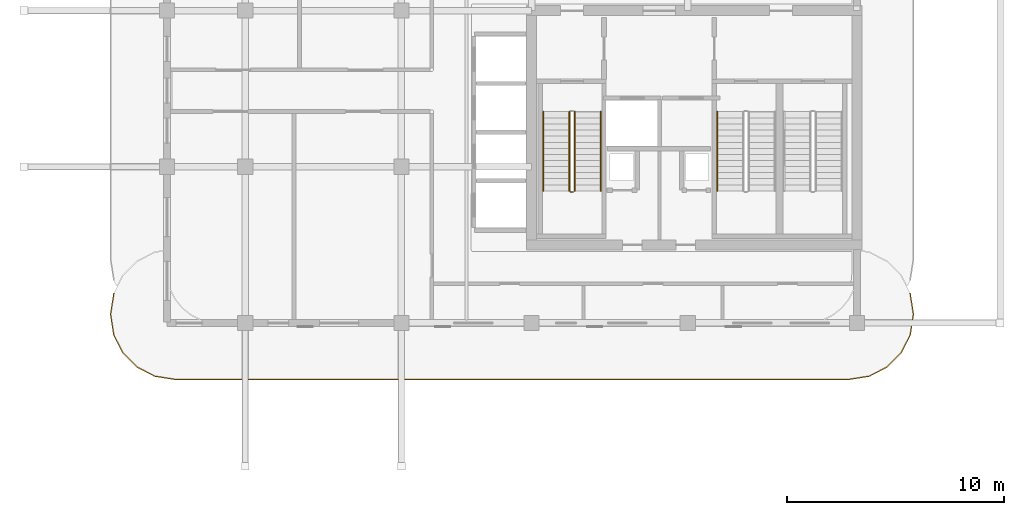
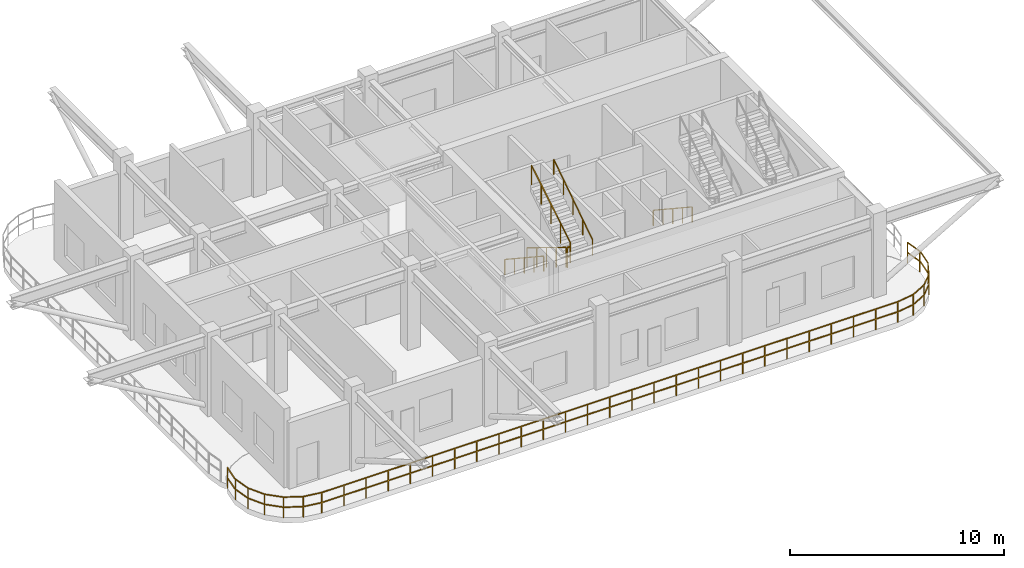
# One storey, part 6 of 8: 7 railings.
"""IFC4 building model written with IfcOpenShell, lengths in metres."""

from ifc_helpers import new_model, si_unit, derived_unit, direction, frame, origin, origin_2d, place, context, subcontext, project, spatial, rectangle, extrude, material, type_object, element, save


model = new_model("IFC4")

# Units and contexts
model_context = context("Model", 3, precision=1e-05, world=origin(), true_north=direction((0.0, 1.0)))
body_context = subcontext(model_context, "Body", "Model", "MODEL_VIEW")
ifc_project = project(units=[si_unit("LENGTHUNIT", "METRE"), si_unit("AREAUNIT", "SQUARE_METRE"), si_unit("VOLUMEUNIT", "CUBIC_METRE"), si_unit("PLANEANGLEUNIT", "RADIAN"), si_unit("MASSUNIT", "GRAM", prefix="KILO"), si_unit("THERMODYNAMICTEMPERATUREUNIT", "KELVIN"), si_unit("POWERUNIT", "WATT"), derived_unit("THERMALTRANSMITTANCEUNIT", [(si_unit("POWERUNIT", "WATT"), 1), (si_unit("AREAUNIT", "SQUARE_METRE"), -1), (si_unit("THERMODYNAMICTEMPERATUREUNIT", "KELVIN"), -1)])], contexts=[model_context])

# Site, building, storey
site_placement = place(None, origin())
site = spatial("IfcSite", under=ifc_project, at=site_placement, CompositionType="ELEMENT")
building_placement = place(site_placement, origin())
building = spatial("IfcBuilding", under=site, at=building_placement, Name="Zahravan Archway Hotel and Residences", CompositionType="ELEMENT")
storey_placement = place(building_placement, frame((0.0, 0.0, 294.300048828125)))
storey = spatial("IfcBuildingStorey", under=building, at=storey_placement, Name="L74", CompositionType="ELEMENT", Elevation=294.300048828125)

# Railings
ifc_material_1 = material(Name="Bronze & Laminated Glass Balustrade", Category="glass")
railing_type_1 = type_object("IfcRailingType", Name="RL-BAL-1200", PredefinedType="BALUSTRADE", material=ifc_material_1)
railing_1_placement = place(storey_placement, frame((52.255615234375, 1.361572265625, 0.0)))
element("IfcRailing", 1, at=railing_1_placement, inside=storey, type_object=railing_type_1, Name="L74 Balustrade RL-SLB-BAL-L74-SA-1", PredefinedType="BALUSTRADE", context=body_context, shape_type="SweptSolid", body=[
    extrude(rectangle(XDim=0.048095703125, YDim=0.048095703125, at=origin_2d()), frame((0.0, 0.0, 1.17578125), z_axis=(0.156329311416, -0.987704989555, 0.0), x_axis=(0.987704989555, 0.156329311416, 0.0)), (0.0, 0.0, 1.0), 0.9228515625),
    extrude(rectangle(XDim=0.048095703125, YDim=0.048095703125, at=origin_2d()), frame((0.0, 0.0, 0.60009765625), z_axis=(0.156329311416, -0.987704989555, 0.0), x_axis=(0.987704989555, 0.156329311416, 0.0)), (0.0, 0.0, 1.0), 0.9228515625),
    extrude(rectangle(XDim=0.048095703125, YDim=0.048095703125, at=origin_2d()), frame((0.144287109375, -0.91162109375, 1.17578125), z_axis=(0.0, -1.0, 0.0), x_axis=(1.0, 0.0, 0.0)), (0.0, 0.0, 1.0), 0.099853515625),
    extrude(rectangle(XDim=0.048095703125, YDim=0.048095703125, at=origin_2d()), frame((0.144287109375, -0.91162109375, 0.60009765625), z_axis=(0.0, -1.0, 0.0), x_axis=(1.0, 0.0, 0.0)), (0.0, 0.0, 1.0), 0.099853515625),
    extrude(rectangle(XDim=0.048095703125, YDim=0.048095703125, at=origin_2d()), frame((0.144287109375, -1.011474609375, 1.17578125), z_axis=(-0.156329311416, -0.987704989555, 0.0), x_axis=(0.987704989555, -0.156329311416, 0.0)), (0.0, 0.0, 1.0), 0.9228515625),
    extrude(rectangle(XDim=0.048095703125, YDim=0.048095703125, at=origin_2d()), frame((0.144287109375, -1.011474609375, 0.60009765625), z_axis=(-0.156329311416, -0.987704989555, 0.0), x_axis=(0.987704989555, -0.156329311416, 0.0)), (0.0, 0.0, 1.0), 0.9228515625),
    extrude(rectangle(XDim=0.048095703125, YDim=0.048095703125, at=origin_2d()), frame((0.0, -1.923095703125, 1.17578125), z_axis=(-0.453866348456, -0.891069771532, 0.0), x_axis=(0.891069771532, -0.453866348456, 0.0)), (0.0, 0.0, 1.0), 0.923095703125),
    extrude(rectangle(XDim=0.048095703125, YDim=0.048095703125, at=origin_2d()), frame((0.0, -1.923095703125, 0.60009765625), z_axis=(-0.453866348456, -0.891069771532, 0.0), x_axis=(0.891069771532, -0.453866348456, 0.0)), (0.0, 0.0, 1.0), 0.923095703125),
    extrude(rectangle(XDim=0.048095703125, YDim=0.048095703125, at=origin_2d()), frame((-0.4189453125, -2.74560546875, 1.17578125), z_axis=(-0.707106781187, -0.707106781187, 0.0), x_axis=(0.707106781187, -0.707106781187, 0.0)), (0.0, 0.0, 1.0), 0.9228515625),
    extrude(rectangle(XDim=0.048095703125, YDim=0.048095703125, at=origin_2d()), frame((-0.4189453125, -2.74560546875, 0.60009765625), z_axis=(-0.707106781187, -0.707106781187, 0.0), x_axis=(0.707106781187, -0.707106781187, 0.0)), (0.0, 0.0, 1.0), 0.9228515625),
    extrude(rectangle(XDim=0.048095703125, YDim=0.048095703125, at=origin_2d()), frame((-1.071533203125, -3.398193359375, 1.17578125), z_axis=(-0.891069771532, -0.453866348456, 0.0), x_axis=(0.453866348456, -0.891069771532, 0.0)), (0.0, 0.0, 1.0), 0.923095703125),
    extrude(rectangle(XDim=0.048095703125, YDim=0.048095703125, at=origin_2d()), frame((-1.071533203125, -3.398193359375, 0.60009765625), z_axis=(-0.891069771532, -0.453866348456, 0.0), x_axis=(0.453866348456, -0.891069771532, 0.0)), (0.0, 0.0, 1.0), 0.923095703125),
    extrude(rectangle(XDim=0.048095703125, YDim=0.048095703125, at=origin_2d()), frame((-1.89404296875, -3.817138671875, 1.17578125), z_axis=(-0.98766411426, -0.156587347521, 0.0), x_axis=(0.156587347521, -0.98766411426, 0.0)), (0.0, 0.0, 1.0), 0.923095703125),
    extrude(rectangle(XDim=0.048095703125, YDim=0.048095703125, at=origin_2d()), frame((-1.89404296875, -3.817138671875, 0.60009765625), z_axis=(-0.98766411426, -0.156587347521, 0.0), x_axis=(0.156587347521, -0.98766411426, 0.0)), (0.0, 0.0, 1.0), 0.923095703125),
    extrude(rectangle(XDim=0.048095703125, YDim=0.048095703125, at=origin_2d()), frame((-2.8056640625, -3.961669921875, 1.17578125), z_axis=(-1.0, 0.0, 0.0), x_axis=(0.0, -1.0, 0.0)), (0.0, 0.0, 1.0), 31.099853515625),
    extrude(rectangle(XDim=0.048095703125, YDim=0.048095703125, at=origin_2d()), frame((-2.8056640625, -3.961669921875, 0.60009765625), z_axis=(-1.0, 0.0, 0.0), x_axis=(0.0, -1.0, 0.0)), (0.0, 0.0, 1.0), 31.099853515625),
    extrude(rectangle(XDim=0.048095703125, YDim=0.048095703125, at=origin_2d()), frame((-33.905517578125, -3.961669921875, 1.17578125), z_axis=(-0.98766411426, 0.156587347521, 0.0), x_axis=(-0.156587347521, -0.98766411426, 0.0)), (0.0, 0.0, 1.0), 0.923095703125),
    extrude(rectangle(XDim=0.048095703125, YDim=0.048095703125, at=origin_2d()), frame((-33.905517578125, -3.961669921875, 0.60009765625), z_axis=(-0.98766411426, 0.156587347521, 0.0), x_axis=(-0.156587347521, -0.98766411426, 0.0)), (0.0, 0.0, 1.0), 0.923095703125),
    extrude(rectangle(XDim=0.048095703125, YDim=0.048095703125, at=origin_2d()), frame((-34.817138671875, -3.817138671875, 1.17578125), z_axis=(-0.891069771532, 0.453866348456, 0.0), x_axis=(-0.453866348456, -0.891069771532, 0.0)), (0.0, 0.0, 1.0), 0.923095703125),
    extrude(rectangle(XDim=0.048095703125, YDim=0.048095703125, at=origin_2d()), frame((-34.817138671875, -3.817138671875, 0.60009765625), z_axis=(-0.891069771532, 0.453866348456, 0.0), x_axis=(-0.453866348456, -0.891069771532, 0.0)), (0.0, 0.0, 1.0), 0.923095703125),
    extrude(rectangle(XDim=0.048095703125, YDim=0.048095703125, at=origin_2d()), frame((-35.6396484375, -3.398193359375, 1.17578125), z_axis=(-0.707106781187, 0.707106781187, 0.0), x_axis=(-0.707106781187, -0.707106781187, 0.0)), (0.0, 0.0, 1.0), 0.9228515625),
    extrude(rectangle(XDim=0.048095703125, YDim=0.048095703125, at=origin_2d()), frame((-35.6396484375, -3.398193359375, 0.60009765625), z_axis=(-0.707106781187, 0.707106781187, 0.0), x_axis=(-0.707106781187, -0.707106781187, 0.0)), (0.0, 0.0, 1.0), 0.9228515625),
    extrude(rectangle(XDim=0.048095703125, YDim=0.048095703125, at=origin_2d()), frame((-36.292236328125, -2.74560546875, 1.17578125), z_axis=(-0.453866348456, 0.891069771532, 0.0), x_axis=(-0.891069771532, -0.453866348456, 0.0)), (0.0, 0.0, 1.0), 0.923095703125),
    extrude(rectangle(XDim=0.048095703125, YDim=0.048095703125, at=origin_2d()), frame((-36.292236328125, -2.74560546875, 0.60009765625), z_axis=(-0.453866348456, 0.891069771532, 0.0), x_axis=(-0.891069771532, -0.453866348456, 0.0)), (0.0, 0.0, 1.0), 0.923095703125),
    extrude(rectangle(XDim=0.048095703125, YDim=0.048095703125, at=origin_2d()), frame((-36.711181640625, -1.923095703125, 1.17578125), z_axis=(-0.156587347521, 0.98766411426, 0.0), x_axis=(-0.98766411426, -0.156587347521, 0.0)), (0.0, 0.0, 1.0), 0.923095703125),
    extrude(rectangle(XDim=0.048095703125, YDim=0.048095703125, at=origin_2d()), frame((-36.711181640625, -1.923095703125, 0.60009765625), z_axis=(-0.156587347521, 0.98766411426, 0.0), x_axis=(-0.98766411426, -0.156587347521, 0.0)), (0.0, 0.0, 1.0), 0.923095703125),
    extrude(rectangle(XDim=0.048095703125, YDim=0.048095703125, at=origin_2d()), frame((-36.855712890625, -1.011474609375, 1.17578125), z_axis=(0.0, 1.0, 0.0), x_axis=(-1.0, 0.0, 0.0)), (0.0, 0.0, 1.0), 0.099853515625),
    extrude(rectangle(XDim=0.048095703125, YDim=0.048095703125, at=origin_2d()), frame((-36.855712890625, -1.011474609375, 0.60009765625), z_axis=(0.0, 1.0, 0.0), x_axis=(-1.0, 0.0, 0.0)), (0.0, 0.0, 1.0), 0.099853515625),
    extrude(rectangle(XDim=0.048095703125, YDim=0.048095703125, at=origin_2d()), frame((-36.855712890625, -0.91162109375, 1.17578125), z_axis=(0.156587347521, 0.98766411426, 0.0), x_axis=(-0.98766411426, 0.156587347521, 0.0)), (0.0, 0.0, 1.0), 0.923095703125),
    extrude(rectangle(XDim=0.048095703125, YDim=0.048095703125, at=origin_2d()), frame((-36.855712890625, -0.91162109375, 0.60009765625), z_axis=(0.156587347521, 0.98766411426, 0.0), x_axis=(-0.98766411426, 0.156587347521, 0.0)), (0.0, 0.0, 1.0), 0.923095703125),
    extrude(rectangle(XDim=0.0419921875, YDim=0.0419921875, at=origin_2d()), origin(), (0.0, 0.0, 1.0), 1.15185546875),
    extrude(rectangle(XDim=0.0419921875, YDim=0.0419921875, at=origin_2d()), frame((0.144287109375, -0.91162109375, 0.0)), (0.0, 0.0, 1.0), 1.15185546875),
    extrude(rectangle(XDim=0.0419921875, YDim=0.0419921875, at=origin_2d()), frame((0.0, -1.923095703125, 0.0)), (0.0, 0.0, 1.0), 1.15185546875),
    extrude(rectangle(XDim=0.0419921875, YDim=0.0419921875, at=origin_2d()), frame((-0.4189453125, -2.74560546875, 0.0)), (0.0, 0.0, 1.0), 1.15185546875),
    extrude(rectangle(XDim=0.0419921875, YDim=0.0419921875, at=origin_2d()), frame((-1.071533203125, -3.398193359375, 0.0)), (0.0, 0.0, 1.0), 1.15185546875),
    extrude(rectangle(XDim=0.0419921875, YDim=0.0419921875, at=origin_2d()), frame((-1.89404296875, -3.817138671875, 0.0)), (0.0, 0.0, 1.0), 1.15185546875),
    extrude(rectangle(XDim=0.0419921875, YDim=0.0419921875, at=origin_2d()), frame((-2.8056640625, -3.961669921875, 0.0)), (0.0, 0.0, 1.0), 1.15185546875),
    extrude(rectangle(XDim=0.0419921875, YDim=0.0419921875, at=origin_2d()), frame((-4.001708984375, -3.961669921875, 0.0)), (0.0, 0.0, 1.0), 1.15185546875),
    extrude(rectangle(XDim=0.0419921875, YDim=0.0419921875, at=origin_2d()), frame((-5.197998046875, -3.961669921875, 0.0)), (0.0, 0.0, 1.0), 1.15185546875),
    extrude(rectangle(XDim=0.0419921875, YDim=0.0419921875, at=origin_2d()), frame((-6.39404296875, -3.961669921875, 0.0)), (0.0, 0.0, 1.0), 1.15185546875),
    extrude(rectangle(XDim=0.0419921875, YDim=0.0419921875, at=origin_2d()), frame((-7.59033203125, -3.961669921875, 0.0)), (0.0, 0.0, 1.0), 1.15185546875),
    extrude(rectangle(XDim=0.0419921875, YDim=0.0419921875, at=origin_2d()), frame((-8.786376953125, -3.961669921875, 0.0)), (0.0, 0.0, 1.0), 1.15185546875),
    extrude(rectangle(XDim=0.0419921875, YDim=0.0419921875, at=origin_2d()), frame((-9.982666015625, -3.961669921875, 0.0)), (0.0, 0.0, 1.0), 1.15185546875),
    extrude(rectangle(XDim=0.0419921875, YDim=0.0419921875, at=origin_2d()), frame((-11.1787109375, -3.961669921875, 0.0)), (0.0, 0.0, 1.0), 1.15185546875),
    extrude(rectangle(XDim=0.0419921875, YDim=0.0419921875, at=origin_2d()), frame((-12.374755859375, -3.961669921875, 0.0)), (0.0, 0.0, 1.0), 1.15185546875),
    extrude(rectangle(XDim=0.0419921875, YDim=0.0419921875, at=origin_2d()), frame((-13.571044921875, -3.961669921875, 0.0)), (0.0, 0.0, 1.0), 1.15185546875),
    extrude(rectangle(XDim=0.0419921875, YDim=0.0419921875, at=origin_2d()), frame((-14.76708984375, -3.961669921875, 0.0)), (0.0, 0.0, 1.0), 1.15185546875),
    extrude(rectangle(XDim=0.0419921875, YDim=0.0419921875, at=origin_2d()), frame((-15.96337890625, -3.961669921875, 0.0)), (0.0, 0.0, 1.0), 1.15185546875),
    extrude(rectangle(XDim=0.0419921875, YDim=0.0419921875, at=origin_2d()), frame((-17.159423828125, -3.961669921875, 0.0)), (0.0, 0.0, 1.0), 1.15185546875),
    extrude(rectangle(XDim=0.0419921875, YDim=0.0419921875, at=origin_2d()), frame((-18.35546875, -3.961669921875, 0.0)), (0.0, 0.0, 1.0), 1.15185546875),
    extrude(rectangle(XDim=0.0419921875, YDim=0.0419921875, at=origin_2d()), frame((-19.5517578125, -3.961669921875, 0.0)), (0.0, 0.0, 1.0), 1.15185546875),
    extrude(rectangle(XDim=0.0419921875, YDim=0.0419921875, at=origin_2d()), frame((-20.747802734375, -3.961669921875, 0.0)), (0.0, 0.0, 1.0), 1.15185546875),
    extrude(rectangle(XDim=0.0419921875, YDim=0.0419921875, at=origin_2d()), frame((-21.944091796875, -3.961669921875, 0.0)), (0.0, 0.0, 1.0), 1.15185546875),
    extrude(rectangle(XDim=0.0419921875, YDim=0.0419921875, at=origin_2d()), frame((-23.14013671875, -3.961669921875, 0.0)), (0.0, 0.0, 1.0), 1.15185546875),
    extrude(rectangle(XDim=0.0419921875, YDim=0.0419921875, at=origin_2d()), frame((-24.33642578125, -3.961669921875, 0.0)), (0.0, 0.0, 1.0), 1.15185546875),
    extrude(rectangle(XDim=0.0419921875, YDim=0.0419921875, at=origin_2d()), frame((-25.532470703125, -3.961669921875, 0.0)), (0.0, 0.0, 1.0), 1.15185546875),
    extrude(rectangle(XDim=0.0419921875, YDim=0.0419921875, at=origin_2d()), frame((-26.728515625, -3.961669921875, 0.0)), (0.0, 0.0, 1.0), 1.15185546875),
    extrude(rectangle(XDim=0.0419921875, YDim=0.0419921875, at=origin_2d()), frame((-27.9248046875, -3.961669921875, 0.0)), (0.0, 0.0, 1.0), 1.15185546875),
    extrude(rectangle(XDim=0.0419921875, YDim=0.0419921875, at=origin_2d()), frame((-29.120849609375, -3.961669921875, 0.0)), (0.0, 0.0, 1.0), 1.15185546875),
    extrude(rectangle(XDim=0.0419921875, YDim=0.0419921875, at=origin_2d()), frame((-30.317138671875, -3.961669921875, 0.0)), (0.0, 0.0, 1.0), 1.15185546875),
    extrude(rectangle(XDim=0.0419921875, YDim=0.0419921875, at=origin_2d()), frame((-31.51318359375, -3.961669921875, 0.0)), (0.0, 0.0, 1.0), 1.15185546875),
    extrude(rectangle(XDim=0.0419921875, YDim=0.0419921875, at=origin_2d()), frame((-32.70947265625, -3.961669921875, 0.0)), (0.0, 0.0, 1.0), 1.15185546875),
    extrude(rectangle(XDim=0.0419921875, YDim=0.0419921875, at=origin_2d()), frame((-33.905517578125, -3.961669921875, 0.0)), (0.0, 0.0, 1.0), 1.15185546875),
    extrude(rectangle(XDim=0.0419921875, YDim=0.0419921875, at=origin_2d()), frame((-34.817138671875, -3.817138671875, 0.0)), (0.0, 0.0, 1.0), 1.15185546875),
    extrude(rectangle(XDim=0.0419921875, YDim=0.0419921875, at=origin_2d()), frame((-35.6396484375, -3.398193359375, 0.0)), (0.0, 0.0, 1.0), 1.15185546875),
    extrude(rectangle(XDim=0.0419921875, YDim=0.0419921875, at=origin_2d()), frame((-36.292236328125, -2.74560546875, 0.0)), (0.0, 0.0, 1.0), 1.15185546875),
    extrude(rectangle(XDim=0.0419921875, YDim=0.0419921875, at=origin_2d()), frame((-36.711181640625, -1.923095703125, 0.0)), (0.0, 0.0, 1.0), 1.15185546875),
    extrude(rectangle(XDim=0.0419921875, YDim=0.0419921875, at=origin_2d()), frame((-36.855712890625, -1.011474609375, 0.0)), (0.0, 0.0, 1.0), 1.15185546875),
    extrude(rectangle(XDim=0.0419921875, YDim=0.0419921875, at=origin_2d()), frame((-36.711181640625, 0.0, 0.0)), (0.0, 0.0, 1.0), 1.15185546875),
])
ifc_material_2 = material(Name="Painted Tubular Steel", Category="steel")
railing_type_2 = type_object("IfcRailingType", Name="RL-STG-1150", PredefinedType="GUARDRAIL", material=ifc_material_2)
railing_2_placement = place(storey_placement, frame((36.550048828125, 9.72998046875, 0.17138671875)))
element("IfcRailing", 2, at=railing_2_placement, inside=storey, type_object=railing_type_2, Name="L74 ST-A1 stair guard 1", PredefinedType="GUARDRAIL", context=body_context, shape_type="SweptSolid", body=[
    extrude(rectangle(XDim=0.048095703125, YDim=0.048095703125, at=origin_2d()), frame((0.0, 0.0, 1.1259765625), z_axis=(0.0, -0.852850264322, 0.5221555579), x_axis=(1.0, 0.0, 0.0)), (0.0, 0.0, 1.0), 4.267822265625),
    extrude(rectangle(XDim=0.0419921875, YDim=0.0419921875, at=origin_2d()), origin(), (0.0, 0.0, 1.0), 1.101806640625),
    extrude(rectangle(XDim=0.0419921875, YDim=0.0419921875, at=origin_2d()), frame((0.0, -0.909912109375, 0.55712890625)), (0.0, 0.0, 1.0), 1.101806640625),
    extrude(rectangle(XDim=0.0419921875, YDim=0.0419921875, at=origin_2d()), frame((0.0, -1.81982421875, 1.1142578125)), (0.0, 0.0, 1.0), 1.101806640625),
    extrude(rectangle(XDim=0.0419921875, YDim=0.0419921875, at=origin_2d()), frame((0.0, -2.72998046875, 1.67138671875)), (0.0, 0.0, 1.0), 1.101806640625),
    extrude(rectangle(XDim=0.0419921875, YDim=0.0419921875, at=origin_2d()), frame((0.0, -3.639892578125, 2.228515625)), (0.0, 0.0, 1.0), 1.101806640625),
])
railing_3_placement = place(storey_placement, frame((36.60009765625, 6.0400390625, 2.39990234375)))
element("IfcRailing", 3, at=railing_3_placement, inside=storey, type_object=railing_type_2, Name="L74 ST-A1 stair guard 2", PredefinedType="GUARDRAIL", context=body_context, shape_type="SweptSolid", body=[
    extrude(rectangle(XDim=0.048095703125, YDim=0.048095703125, at=origin_2d()), frame((0.0, 0.0, 1.1259765625), z_axis=(1.0, 0.0, 0.0), x_axis=(0.0, 1.0, 0.0)), (0.0, 0.0, 1.0), 0.139892578125),
    extrude(rectangle(XDim=0.048095703125, YDim=0.048095703125, at=origin_2d()), frame((0.0, 0.0, 0.574951171875), z_axis=(1.0, 0.0, 0.0), x_axis=(0.0, 1.0, 0.0)), (0.0, 0.0, 1.0), 0.139892578125),
    extrude(rectangle(XDim=0.0419921875, YDim=0.0419921875, at=origin_2d()), origin(), (0.0, 0.0, 1.0), 1.101806640625),
])
railing_4_placement = place(storey_placement, frame((36.7900390625, 6.090087890625, 2.5712890625)))
element("IfcRailing", 4, at=railing_4_placement, inside=storey, type_object=railing_type_2, Name="L74 ST-A1 stair guard 3", PredefinedType="GUARDRAIL", context=body_context, shape_type="SweptSolid", body=[
    extrude(rectangle(XDim=0.048095703125, YDim=0.048095703125, at=origin_2d()), frame((0.0, 0.0, 1.1259765625), z_axis=(0.0, 0.852824790078, 0.522197163366), x_axis=(-1.0, 0.0, 0.0)), (0.0, 0.0, 1.0), 4.26806640625),
    extrude(rectangle(XDim=0.0419921875, YDim=0.0419921875, at=origin_2d()), origin(), (0.0, 0.0, 1.0), 1.101806640625),
    extrude(rectangle(XDim=0.0419921875, YDim=0.0419921875, at=origin_2d()), frame((0.0, 0.909912109375, 0.55712890625)), (0.0, 0.0, 1.0), 1.101806640625),
    extrude(rectangle(XDim=0.0419921875, YDim=0.0419921875, at=origin_2d()), frame((0.0, 1.81982421875, 1.1142578125)), (0.0, 0.0, 1.0), 1.101806640625),
    extrude(rectangle(XDim=0.0419921875, YDim=0.0419921875, at=origin_2d()), frame((0.0, 2.72998046875, 1.671630859375)), (0.0, 0.0, 1.0), 1.101806640625),
    extrude(rectangle(XDim=0.0419921875, YDim=0.0419921875, at=origin_2d()), frame((0.0, 3.639892578125, 2.228759765625)), (0.0, 0.0, 1.0), 1.101806640625),
])
ifc_material_3 = material(Name="Brushed Stainless Steel", Category="steel")
railing_type_3 = type_object("IfcRailingType", Name="RL-STH-900", PredefinedType="HANDRAIL", material=ifc_material_3)
railing_5_placement = place(storey_placement, frame((35.35009765625, 9.72998046875, 0.17138671875)))
element("IfcRailing", 5, at=railing_5_placement, inside=storey, type_object=railing_type_3, Name="L74 ST-A1 stair handrail 1", PredefinedType="HANDRAIL", context=body_context, shape_type="SweptSolid", body=[
    extrude(rectangle(XDim=0.048095703125, YDim=0.048095703125, at=origin_2d()), frame((0.0, 0.0, 0.8759765625), z_axis=(0.0, -0.834865213223, 0.550454426587), x_axis=(1.0, 0.0, 0.0)), (0.0, 0.0, 1.0), 4.35986328125),
    extrude(rectangle(XDim=0.0419921875, YDim=0.0419921875, at=origin_2d()), origin(), (0.0, 0.0, 1.0), 0.851806640625),
    extrude(rectangle(XDim=0.0419921875, YDim=0.0419921875, at=origin_2d()), frame((0.0, -0.909912109375, 0.60009765625)), (0.0, 0.0, 1.0), 0.851806640625),
    extrude(rectangle(XDim=0.0419921875, YDim=0.0419921875, at=origin_2d()), frame((0.0, -1.81982421875, 1.199951171875)), (0.0, 0.0, 1.0), 0.851806640625),
    extrude(rectangle(XDim=0.0419921875, YDim=0.0419921875, at=origin_2d()), frame((0.0, -2.72998046875, 1.7998046875)), (0.0, 0.0, 1.0), 0.851806640625),
    extrude(rectangle(XDim=0.0419921875, YDim=0.0419921875, at=origin_2d()), frame((0.0, -3.639892578125, 2.39990234375)), (0.0, 0.0, 1.0), 0.851806640625),
])
railing_6_placement = place(storey_placement, frame((37.989990234375, 6.090087890625, 2.5712890625)))
element("IfcRailing", 6, at=railing_6_placement, inside=storey, type_object=railing_type_3, Name="L74 ST-A1 stair handrail 2", PredefinedType="HANDRAIL", context=body_context, shape_type="SweptSolid", body=[
    extrude(rectangle(XDim=0.048095703125, YDim=0.048095703125, at=origin_2d()), frame((0.0, 0.0, 0.8759765625), z_axis=(0.0, 0.834839479206, 0.550493454965), x_axis=(-1.0, 0.0, 0.0)), (0.0, 0.0, 1.0), 4.360107421875),
    extrude(rectangle(XDim=0.0419921875, YDim=0.0419921875, at=origin_2d()), origin(), (0.0, 0.0, 1.0), 0.851806640625),
    extrude(rectangle(XDim=0.0419921875, YDim=0.0419921875, at=origin_2d()), frame((0.0, 0.909912109375, 0.60009765625)), (0.0, 0.0, 1.0), 0.851806640625),
    extrude(rectangle(XDim=0.0419921875, YDim=0.0419921875, at=origin_2d()), frame((0.0, 1.81982421875, 1.2001953125)), (0.0, 0.0, 1.0), 0.851806640625),
    extrude(rectangle(XDim=0.0419921875, YDim=0.0419921875, at=origin_2d()), frame((0.0, 2.72998046875, 1.800048828125)), (0.0, 0.0, 1.0), 0.851806640625),
    extrude(rectangle(XDim=0.0419921875, YDim=0.0419921875, at=origin_2d()), frame((0.0, 3.639892578125, 2.400146484375)), (0.0, 0.0, 1.0), 0.851806640625),
])
railing_7_placement = place(storey_placement, frame((43.3701171875, 9.72998046875, 0.17138671875)))
element("IfcRailing", 7, at=railing_7_placement, inside=storey, type_object=railing_type_3, Name="L74 ST-A2 stair handrail 1", PredefinedType="HANDRAIL", context=body_context, shape_type="SweptSolid", body=[
    extrude(rectangle(XDim=0.048095703125, YDim=0.048095703125, at=origin_2d()), frame((0.0, 0.0, 0.8759765625), z_axis=(0.0, -0.834865213223, 0.550454426587), x_axis=(1.0, 0.0, 0.0)), (0.0, 0.0, 1.0), 4.35986328125),
    extrude(rectangle(XDim=0.0419921875, YDim=0.0419921875, at=origin_2d()), origin(), (0.0, 0.0, 1.0), 0.851806640625),
    extrude(rectangle(XDim=0.0419921875, YDim=0.0419921875, at=origin_2d()), frame((0.0, -0.909912109375, 0.60009765625)), (0.0, 0.0, 1.0), 0.851806640625),
    extrude(rectangle(XDim=0.0419921875, YDim=0.0419921875, at=origin_2d()), frame((0.0, -1.81982421875, 1.199951171875)), (0.0, 0.0, 1.0), 0.851806640625),
    extrude(rectangle(XDim=0.0419921875, YDim=0.0419921875, at=origin_2d()), frame((0.0, -2.72998046875, 1.7998046875)), (0.0, 0.0, 1.0), 0.851806640625),
    extrude(rectangle(XDim=0.0419921875, YDim=0.0419921875, at=origin_2d()), frame((0.0, -3.639892578125, 2.39990234375)), (0.0, 0.0, 1.0), 0.851806640625),
])

save(model, "model.ifc")
